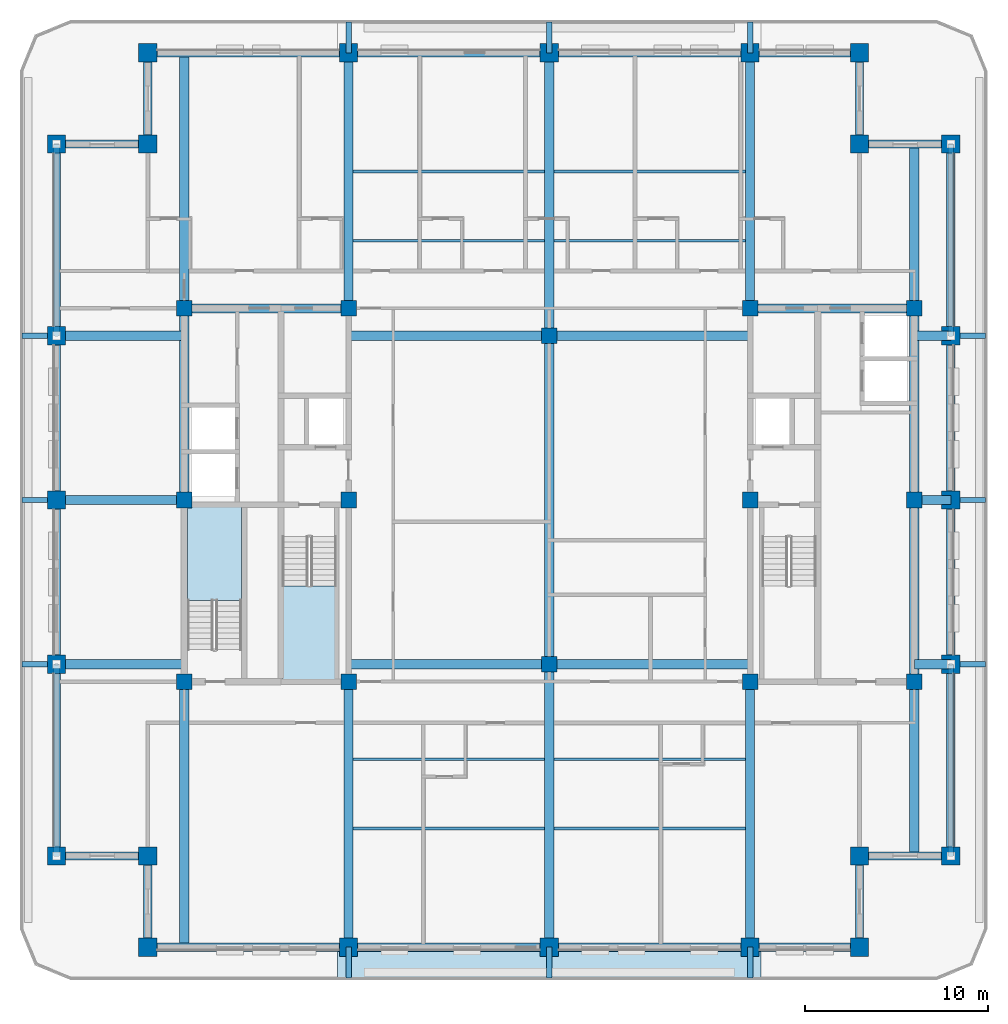
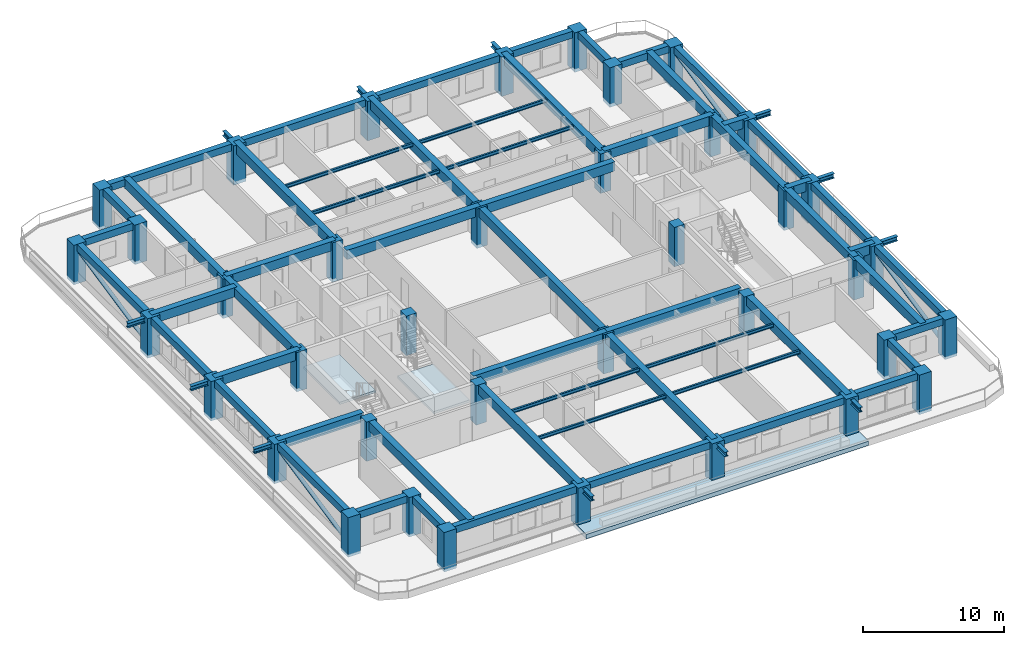
# One storey, part 1 of 14: 70 beams, 38 columns, 4 members, 3 slabs, 2 elements without a shape of their own.
"""IFC4 building model written with IfcOpenShell, lengths in metres."""

from ifc_helpers import new_model, si_unit, direction, frame, origin, origin_2d, place, context, subcontext, project, spatial, polyline, rectangle, hollow_circle, i_section, outline, extrude, material, layer, layer_set, material_profile, profile_set, type_object, element, aggregate, save


model = new_model("IFC4")

# Units and contexts
model_context = context("Model", 3, precision=1e-05, world=origin(), true_north=direction((0.0, 1.0)))
body_context = subcontext(model_context, "Body", "Model", "MODEL_VIEW")
ifc_project = project(units=[si_unit("LENGTHUNIT", "METRE"), si_unit("AREAUNIT", "SQUARE_METRE"), si_unit("VOLUMEUNIT", "CUBIC_METRE"), si_unit("PLANEANGLEUNIT", "RADIAN"), si_unit("MASSUNIT", "GRAM", prefix="KILO")], contexts=[model_context])

# Site, building, storey
site_placement = place(None, origin())
site = spatial("IfcSite", under=ifc_project, at=site_placement, CompositionType="ELEMENT")
building_placement = place(site_placement, origin())
building = spatial("IfcBuilding", under=site, at=building_placement, Name="Zulmaris Gate Convention Tower", CompositionType="ELEMENT")
storey_placement = place(building_placement, frame((0.0, 0.0, 194.85986328125)))
storey = spatial("IfcBuildingStorey", under=building, at=storey_placement, Name="L50", CompositionType="ELEMENT", Elevation=194.85986328125)

# Columns
ifc_material_1 = material(Name="Concrete C60/75", Category="concrete")
ifc_material_profile_1 = material_profile(ifc_material_1, rectangle(XDim=1.0, YDim=1.0, at=origin_2d()), Name="RC COL 1000x1000")
ifc_profile_set_1 = profile_set([ifc_material_profile_1], Name="Concrete C60/75")
column_type_1 = type_object("IfcColumnType", Name="COL-RC1000", PredefinedType="COLUMN", material=ifc_profile_set_1)
for number, where, z_axis, x_axis, name in (
    (1, (-22.0, -24.5, -0.27490234375), (0.0, 0.0, 1.0), (1.0, 0.0, 0.0), "L50 Column PT--22.00_-24.50"),
    (2, (-11.0, -24.5, -0.27490234375), (0.0, 0.0, 1.0), (1.0, 0.0, 0.0), "L50 Column PT--11.00_-24.50"),
    (3, (0.0, -24.5, -0.27490234375), (0.0, 0.0, 1.0), (1.0, 0.0, 0.0), "L50 Column PT-+0.00_-24.50"),
    (4, (11.0, -24.5, -0.27490234375), (0.0, 0.0, 1.0), (1.0, 0.0, 0.0), "L50 Column PT-+11.00_-24.50"),
    (5, (17.0, -24.5, -0.27490234375), (0.0, 0.0, 1.0), (1.0, 0.0, 0.0), "L50 Column PT-+17.00_-24.50"),
    (6, (-22.0, 24.5, -0.27490234375), (0.0, 0.0, 1.0), (1.0, 0.0, 0.0), "L50 Column PT--22.00_+24.50"),
    (7, (-11.0, 24.5, -0.27490234375), (0.0, 0.0, 1.0), (1.0, 0.0, 0.0), "L50 Column PT--11.00_+24.50"),
    (8, (0.0, 24.5, -0.27490234375), (0.0, 0.0, 1.0), (1.0, 0.0, 0.0), "L50 Column PT-+0.00_+24.50"),
    (9, (11.0, 24.5, -0.27490234375), (0.0, 0.0, 1.0), (1.0, 0.0, 0.0), "L50 Column PT-+11.00_+24.50"),
    (10, (17.0, 24.5, -0.27490234375), (0.0, 0.0, 1.0), (1.0, 0.0, 0.0), "L50 Column PT-+17.00_+24.50"),
    (11, (-27.0, -19.5, -0.27490234375), (0.0, 0.0, 1.0), (1.0, 0.0, 0.0), "L50 Column PT--27.00_-19.50"),
    (12, (-27.0, -9.0, -0.27490234375), (0.0, 0.0, 1.0), (1.0, 0.0, 0.0), "L50 Column PT--27.00_-9.00"),
    (13, (-27.0, 0.0, -0.27490234375), (0.0, 0.0, 1.0), (1.0, 0.0, 0.0), "L50 Column PT--27.00_+0.00"),
    (14, (-27.0, 9.0, -0.27490234375), (0.0, 0.0, 1.0), (1.0, 0.0, 0.0), "L50 Column PT--27.00_+9.00"),
    (15, (-27.0, 19.5, -0.27490234375), (0.0, 0.0, 1.0), (1.0, 0.0, 0.0), "L50 Column PT--27.00_+19.50"),
    (16, (22.0, -19.5, -0.27490234375), (0.0, 0.0, 1.0), (1.0, 0.0, 0.0), "L50 Column PT-+22.00_-19.50"),
    (17, (22.0, -9.0, -0.27490234375), (0.0, 0.0, 1.0), (1.0, 0.0, 0.0), "L50 Column PT-+22.00_-9.00"),
    (18, (22.0, 0.0, -0.27490234375), (0.0, 0.0, 1.0), (1.0, 0.0, 0.0), "L50 Column PT-+22.00_+0.00"),
    (19, (22.0, 9.0, -0.27490234375), (0.0, 0.0, 1.0), (1.0, 0.0, 0.0), "L50 Column PT-+22.00_+9.00"),
    (20, (22.0, 19.5, -0.27490234375), (0.0, 0.0, 1.0), (1.0, 0.0, 0.0), "L50 Column PT-+22.00_+19.50"),
    (21, (-22.0, -19.5, -0.27490234375), (0.0, 0.0, 1.0), (1.0, 0.0, 0.0), "L50 Column PT--22.00_-19.50"),
    (22, (17.0, -19.5, -0.27490234375), (0.0, 0.0, 1.0), (1.0, 0.0, 0.0), "L50 Column PT-+17.00_-19.50"),
    (23, (17.0, 19.5, -0.27490234375), (0.0, 0.0, 1.0), (1.0, 0.0, 0.0), "L50 Column PT-+17.00_+19.50"),
    (24, (-22.0, 19.5, -0.27490234375), (0.0, 0.0, 1.0), (1.0, 0.0, 0.0), "L50 Column PT--22.00_+19.50"),
):
    element("IfcColumn", number, at=place(storey_placement, frame(where, z_axis=z_axis, x_axis=x_axis)), inside=storey, type_object=column_type_1, Name=name, PredefinedType="COLUMN", context=body_context, shape_type="SweptSolid", body=[
        extrude(rectangle(XDim=1.0, YDim=1.0, at=origin_2d()), origin(), (0.0, 0.0, 1.0), 3.425048828125),
    ])
ifc_material_profile_2 = material_profile(ifc_material_1, rectangle(XDim=0.85009765625, YDim=0.85009765625, at=origin_2d()), Name="RC COL 850x850")
ifc_profile_set_2 = profile_set([ifc_material_profile_2], Name="Concrete C60/75")
column_type_2 = type_object("IfcColumnType", Name="COL-RC850", PredefinedType="COLUMN", material=ifc_profile_set_2)
for number, where, z_axis, x_axis, name in (
    (25, (-20.0, -9.949951171875, -0.27490234375), (0.0, 0.0, 1.0), (1.0, 0.0, 0.0), "L50 Column IN--20.00_-9.95"),
    (26, (-20.0, 10.5, -0.27490234375), (0.0, 0.0, 1.0), (1.0, 0.0, 0.0), "L50 Column IN--20.00_+10.50"),
    (27, (-11.0, -9.949951171875, -0.27490234375), (0.0, 0.0, 1.0), (1.0, 0.0, 0.0), "L50 Column IN--11.00_-9.95"),
    (28, (-11.0, 0.0, -0.27490234375), (0.0, 0.0, 1.0), (1.0, 0.0, 0.0), "L50 Column IN--11.00_+0.00"),
    (29, (-11.0, 10.5, -0.27490234375), (0.0, 0.0, 1.0), (1.0, 0.0, 0.0), "L50 Column IN--11.00_+10.50"),
    (30, (11.0, -9.949951171875, -0.27490234375), (0.0, 0.0, 1.0), (1.0, 0.0, 0.0), "L50 Column IN-+11.00_-9.95"),
    (31, (11.0, 0.0, -0.27490234375), (0.0, 0.0, 1.0), (1.0, 0.0, 0.0), "L50 Column IN-+11.00_+0.00"),
    (32, (11.0, 10.5, -0.27490234375), (0.0, 0.0, 1.0), (1.0, 0.0, 0.0), "L50 Column IN-+11.00_+10.50"),
    (33, (20.0, -9.949951171875, -0.27490234375), (0.0, 0.0, 1.0), (1.0, 0.0, 0.0), "L50 Column IN-+20.00_-9.95"),
    (34, (20.0, 10.5, -0.27490234375), (0.0, 0.0, 1.0), (1.0, 0.0, 0.0), "L50 Column IN-+20.00_+10.50"),
    (35, (0.0, -9.0, -0.27490234375), (0.0, 0.0, 1.0), (1.0, 0.0, 0.0), "L50 Column IN-+0.00_-9.00"),
    (36, (0.0, 9.0, -0.27490234375), (0.0, 0.0, 1.0), (1.0, 0.0, 0.0), "L50 Column IN-+0.00_+9.00"),
    (37, (-20.0, 0.0, -0.27490234375), (0.0, 0.0, 1.0), (1.0, 0.0, 0.0), "L50 Column IN--20.00_+0.00"),
    (38, (20.0, 0.0, -0.27490234375), (0.0, 0.0, 1.0), (1.0, 0.0, 0.0), "L50 Column IN-+20.00_+0.00"),
):
    element("IfcColumn", number, at=place(storey_placement, frame(where, z_axis=z_axis, x_axis=x_axis)), inside=storey, type_object=column_type_2, Name=name, PredefinedType="COLUMN", context=body_context, shape_type="SweptSolid", body=[
        extrude(rectangle(XDim=0.85009765625, YDim=0.85009765625, at=origin_2d()), origin(), (0.0, 0.0, 1.0), 3.425048828125),
    ])

# Beams
ifc_material_2 = material(Name="Steel S355", Category="steel")
ifc_material_profile_3 = material_profile(ifc_material_2, i_section(OverallWidth=0.300048828125, OverallDepth=0.39990234375, WebThickness=0.013427734375, FlangeThickness=0.02392578125, FilletRadius=0.027099609375, at=origin_2d()), Name="HEB 400")
ifc_profile_set_3 = profile_set([ifc_material_profile_3], Name="Steel S355")
beam_type_1 = type_object("IfcBeamType", Name="BM-HEB400", PredefinedType="BEAM", material=ifc_profile_set_3)
for number, where, z_axis, x_axis, name in (
    (39, (-11.0, -26.199951171875, 2.81005859375), (0.0, 1.0, 0.0), (-1.0, 0.0, 0.0), "L50 Beam TBRK-L50-S--11"),
    (40, (-11.0, 24.5, 2.81005859375), (0.0, 1.0, 0.0), (-1.0, 0.0, 0.0), "L50 Beam TBRK-L50-N--11"),
    (41, (0.0, -26.199951171875, 2.81005859375), (0.0, 1.0, 0.0), (-1.0, 0.0, 0.0), "L50 Beam TBRK-L50-S-+0"),
    (42, (0.0, 24.5, 2.81005859375), (0.0, 1.0, 0.0), (-1.0, 0.0, 0.0), "L50 Beam TBRK-L50-N-+0"),
    (43, (11.0, -26.199951171875, 2.81005859375), (0.0, 1.0, 0.0), (-1.0, 0.0, 0.0), "L50 Beam TBRK-L50-S-+11"),
    (44, (11.0, 24.5, 2.81005859375), (0.0, 1.0, 0.0), (-1.0, 0.0, 0.0), "L50 Beam TBRK-L50-N-+11"),
):
    element("IfcBeam", number, at=place(storey_placement, frame(where, z_axis=z_axis, x_axis=x_axis)), inside=storey, type_object=beam_type_1, Name=name, PredefinedType="BEAM", context=body_context, shape_type="SweptSolid", body=[
        extrude(i_section(OverallWidth=0.300048828125, OverallDepth=0.39990234375, WebThickness=0.013427734375, FlangeThickness=0.02392578125, FilletRadius=0.027099609375, at=origin_2d()), origin(), (0.0, 0.0, 1.0), 1.699951171875),
    ])
for number, where, z_axis, x_axis, name in (
    (45, (-28.89990234375, -9.0, 2.81005859375), (1.0, 0.0, 0.0), (0.0, 1.0, 0.0), "L50 Beam TBRK-L50-W--9"),
    (46, (22.0, -9.0, 2.81005859375), (1.0, 0.0, 0.0), (0.0, 1.0, 0.0), "L50 Beam TBRK-L50-E--9"),
    (47, (-28.89990234375, 0.0, 2.81005859375), (1.0, 0.0, 0.0), (0.0, 1.0, 0.0), "L50 Beam TBRK-L50-W-+0"),
    (48, (22.0, 0.0, 2.81005859375), (1.0, 0.0, 0.0), (0.0, 1.0, 0.0), "L50 Beam TBRK-L50-E-+0"),
    (49, (-28.89990234375, 9.0, 2.81005859375), (1.0, 0.0, 0.0), (0.0, 1.0, 0.0), "L50 Beam TBRK-L50-W-+9"),
    (50, (22.0, 9.0, 2.81005859375), (1.0, 0.0, 0.0), (0.0, 1.0, 0.0), "L50 Beam TBRK-L50-E-+9"),
):
    element("IfcBeam", number, at=place(storey_placement, frame(where, z_axis=z_axis, x_axis=x_axis)), inside=storey, type_object=beam_type_1, Name=name, PredefinedType="BEAM", context=body_context, shape_type="SweptSolid", body=[
        extrude(i_section(OverallWidth=0.300048828125, OverallDepth=0.39990234375, WebThickness=0.013427734375, FlangeThickness=0.02392578125, FilletRadius=0.027099609375, at=origin_2d()), origin(), (0.0, 0.0, 1.0), 1.89990234375),
    ])
ifc_material_3 = material(Name="Concrete C50/60", Category="concrete")
ifc_material_profile_4 = material_profile(ifc_material_3, rectangle(XDim=0.5, YDim=0.800048828125, at=origin_2d()), Name="RC BEAM 500x800")
ifc_profile_set_4 = profile_set([ifc_material_profile_4], Name="Concrete C50/60")
beam_type_2 = type_object("IfcBeamType", Name="BM-RC500x800", PredefinedType="BEAM", material=ifc_profile_set_4)
for number, where, z_axis, x_axis, name in (
    (51, (-11.0, -9.0, 2.750244140625), (1.0, 0.0, 0.0), (0.0, 1.0, 0.0), "L50 Beam BM-L50-G01"),
    (52, (0.0, -9.0, 2.750244140625), (1.0, 0.0, 0.0), (0.0, 1.0, 0.0), "L50 Beam BM-L50-G02"),
    (53, (-11.0, 9.0, 2.750244140625), (1.0, 0.0, 0.0), (0.0, 1.0, 0.0), "L50 Beam BM-L50-G03"),
    (54, (0.0, 9.0, 2.750244140625), (1.0, 0.0, 0.0), (0.0, 1.0, 0.0), "L50 Beam BM-L50-G04"),
):
    element("IfcBeam", number, at=place(storey_placement, frame(where, z_axis=z_axis, x_axis=x_axis)), inside=storey, type_object=beam_type_2, Name=name, PredefinedType="BEAM", context=body_context, shape_type="SweptSolid", body=[
        extrude(rectangle(XDim=0.5, YDim=0.800048828125, at=origin_2d()), origin(), (0.0, 0.0, 1.0), 11.0),
    ])
beam_1_placement = place(storey_placement, frame((0.0, -24.5, 2.750244140625), z_axis=(0.0, 1.0, 0.0), x_axis=(-1.0, 0.0, 0.0)))
element("IfcBeam", 55, at=beam_1_placement, inside=storey, type_object=beam_type_2, Name="L50 Beam BM-L50-G05", PredefinedType="BEAM", context=body_context, shape_type="SweptSolid", body=[
    extrude(rectangle(XDim=0.5, YDim=0.800048828125, at=origin_2d()), origin(), (0.0, 0.0, 1.0), 15.5),
])
beam_2_placement = place(storey_placement, frame((0.0, -9.0, 2.750244140625), z_axis=(0.0, 1.0, 0.0), x_axis=(-1.0, 0.0, 0.0)))
element("IfcBeam", 56, at=beam_2_placement, inside=storey, type_object=beam_type_2, Name="L50 Beam BM-L50-G06", PredefinedType="BEAM", context=body_context, shape_type="SweptSolid", body=[
    extrude(rectangle(XDim=0.5, YDim=0.800048828125, at=origin_2d()), origin(), (0.0, 0.0, 1.0), 18.0),
])
beam_3_placement = place(storey_placement, frame((0.0, 9.0, 2.750244140625), z_axis=(0.0, 1.0, 0.0), x_axis=(-1.0, 0.0, 0.0)))
element("IfcBeam", 57, at=beam_3_placement, inside=storey, type_object=beam_type_2, Name="L50 Beam BM-L50-G07", PredefinedType="BEAM", context=body_context, shape_type="SweptSolid", body=[
    extrude(rectangle(XDim=0.5, YDim=0.800048828125, at=origin_2d()), origin(), (0.0, 0.0, 1.0), 15.5),
])
beam_4_placement = place(storey_placement, frame((-11.0, -24.5, 2.750244140625), z_axis=(0.0, 1.0, 0.0), x_axis=(-1.0, 0.0, 0.0)))
element("IfcBeam", 58, at=beam_4_placement, inside=storey, type_object=beam_type_2, Name="L50 Beam BM-L50-G08", PredefinedType="BEAM", context=body_context, shape_type="SweptSolid", body=[
    extrude(rectangle(XDim=0.5, YDim=0.800048828125, at=origin_2d()), origin(), (0.0, 0.0, 1.0), 14.550048828125),
])
beam_5_placement = place(storey_placement, frame((-11.0, 10.5, 2.750244140625), z_axis=(0.0, 1.0, 0.0), x_axis=(-1.0, 0.0, 0.0)))
element("IfcBeam", 59, at=beam_5_placement, inside=storey, type_object=beam_type_2, Name="L50 Beam BM-L50-G09", PredefinedType="BEAM", context=body_context, shape_type="SweptSolid", body=[
    extrude(rectangle(XDim=0.5, YDim=0.800048828125, at=origin_2d()), origin(), (0.0, 0.0, 1.0), 14.0),
])
beam_6_placement = place(storey_placement, frame((11.0, -24.5, 2.750244140625), z_axis=(0.0, 1.0, 0.0), x_axis=(-1.0, 0.0, 0.0)))
element("IfcBeam", 60, at=beam_6_placement, inside=storey, type_object=beam_type_2, Name="L50 Beam BM-L50-G10", PredefinedType="BEAM", context=body_context, shape_type="SweptSolid", body=[
    extrude(rectangle(XDim=0.5, YDim=0.800048828125, at=origin_2d()), origin(), (0.0, 0.0, 1.0), 14.550048828125),
])
beam_7_placement = place(storey_placement, frame((11.0, 10.5, 2.750244140625), z_axis=(0.0, 1.0, 0.0), x_axis=(-1.0, 0.0, 0.0)))
element("IfcBeam", 61, at=beam_7_placement, inside=storey, type_object=beam_type_2, Name="L50 Beam BM-L50-G11", PredefinedType="BEAM", context=body_context, shape_type="SweptSolid", body=[
    extrude(rectangle(XDim=0.5, YDim=0.800048828125, at=origin_2d()), origin(), (0.0, 0.0, 1.0), 14.0),
])
beam_8_placement = place(storey_placement, frame((-20.0, -24.5, 2.750244140625), z_axis=(0.0, 1.0, 0.0), x_axis=(-1.0, 0.0, 0.0)))
element("IfcBeam", 62, at=beam_8_placement, inside=storey, type_object=beam_type_2, Name="L50 Beam BM-L50-G12", PredefinedType="BEAM", context=body_context, shape_type="SweptSolid", body=[
    extrude(rectangle(XDim=0.5, YDim=0.800048828125, at=origin_2d()), origin(), (0.0, 0.0, 1.0), 14.550048828125),
])
beam_9_placement = place(storey_placement, frame((-20.0, 10.5, 2.750244140625), z_axis=(0.0, 1.0, 0.0), x_axis=(-1.0, 0.0, 0.0)))
element("IfcBeam", 63, at=beam_9_placement, inside=storey, type_object=beam_type_2, Name="L50 Beam BM-L50-G13", PredefinedType="BEAM", context=body_context, shape_type="SweptSolid", body=[
    extrude(rectangle(XDim=0.5, YDim=0.800048828125, at=origin_2d()), origin(), (0.0, 0.0, 1.0), 14.0),
])
beam_10_placement = place(storey_placement, frame((20.0, -19.5, 2.750244140625), z_axis=(0.0, 1.0, 0.0), x_axis=(-1.0, 0.0, 0.0)))
element("IfcBeam", 64, at=beam_10_placement, inside=storey, type_object=beam_type_2, Name="L50 Beam BM-L50-G14", PredefinedType="BEAM", context=body_context, shape_type="SweptSolid", body=[
    extrude(rectangle(XDim=0.5, YDim=0.800048828125, at=origin_2d()), origin(), (0.0, 0.0, 1.0), 9.550048828125),
])
beam_11_placement = place(storey_placement, frame((20.0, 10.5, 2.750244140625), z_axis=(0.0, 1.0, 0.0), x_axis=(-1.0, 0.0, 0.0)))
element("IfcBeam", 65, at=beam_11_placement, inside=storey, type_object=beam_type_2, Name="L50 Beam BM-L50-G15", PredefinedType="BEAM", context=body_context, shape_type="SweptSolid", body=[
    extrude(rectangle(XDim=0.5, YDim=0.800048828125, at=origin_2d()), origin(), (0.0, 0.0, 1.0), 9.0),
])
for number, where, z_axis, x_axis, name in (
    (66, (-27.0, -9.0, 2.750244140625), (1.0, 0.0, 0.0), (0.0, 1.0, 0.0), "L50 Beam BM-L50-G16"),
    (67, (-27.0, 0.0, 2.750244140625), (1.0, 0.0, 0.0), (0.0, 1.0, 0.0), "L50 Beam BM-L50-G17"),
    (68, (-27.0, 9.0, 2.750244140625), (1.0, 0.0, 0.0), (0.0, 1.0, 0.0), "L50 Beam BM-L50-G18"),
):
    element("IfcBeam", number, at=place(storey_placement, frame(where, z_axis=z_axis, x_axis=x_axis)), inside=storey, type_object=beam_type_2, Name=name, PredefinedType="BEAM", context=body_context, shape_type="SweptSolid", body=[
        extrude(rectangle(XDim=0.5, YDim=0.800048828125, at=origin_2d()), origin(), (0.0, 0.0, 1.0), 7.0),
    ])
for number, where, z_axis, x_axis, name in (
    (69, (20.0, -9.0, 2.750244140625), (1.0, 0.0, 0.0), (0.0, 1.0, 0.0), "L50 Beam BM-L50-G19"),
    (70, (20.0, 0.0, 2.750244140625), (1.0, 0.0, 0.0), (0.0, 1.0, 0.0), "L50 Beam BM-L50-G20"),
    (71, (20.0, 9.0, 2.750244140625), (1.0, 0.0, 0.0), (0.0, 1.0, 0.0), "L50 Beam BM-L50-G21"),
):
    element("IfcBeam", number, at=place(storey_placement, frame(where, z_axis=z_axis, x_axis=x_axis)), inside=storey, type_object=beam_type_2, Name=name, PredefinedType="BEAM", context=body_context, shape_type="SweptSolid", body=[
        extrude(rectangle(XDim=0.5, YDim=0.800048828125, at=origin_2d()), origin(), (0.0, 0.0, 1.0), 2.0),
    ])
for number, where, z_axis, x_axis, name in (
    (72, (-20.0, 10.5, 2.750244140625), (1.0, 0.0, 0.0), (0.0, 1.0, 0.0), "L50 Beam BM-L50-G23"),
    (73, (11.0, 10.5, 2.750244140625), (1.0, 0.0, 0.0), (0.0, 1.0, 0.0), "L50 Beam BM-L50-G25"),
):
    element("IfcBeam", number, at=place(storey_placement, frame(where, z_axis=z_axis, x_axis=x_axis)), inside=storey, type_object=beam_type_2, Name=name, PredefinedType="BEAM", context=body_context, shape_type="SweptSolid", body=[
        extrude(rectangle(XDim=0.5, YDim=0.800048828125, at=origin_2d()), origin(), (0.0, 0.0, 1.0), 9.0),
    ])
beam_12_placement = place(storey_placement, frame((-20.0, 0.0, 2.750244140625), z_axis=(0.0, 1.0, 0.0), x_axis=(-1.0, 0.0, 0.0)))
element("IfcBeam", 74, at=beam_12_placement, inside=storey, type_object=beam_type_2, Name="L50 Beam BM-L50-G27", PredefinedType="BEAM", context=body_context, shape_type="SweptSolid", body=[
    extrude(rectangle(XDim=0.5, YDim=0.800048828125, at=origin_2d()), origin(), (0.0, 0.0, 1.0), 10.5),
])
beam_13_placement = place(storey_placement, frame((20.0, -9.949951171875, 2.750244140625), z_axis=(0.0, 1.0, 0.0), x_axis=(-1.0, 0.0, 0.0)))
element("IfcBeam", 75, at=beam_13_placement, inside=storey, type_object=beam_type_2, Name="L50 Beam BM-L50-G28", PredefinedType="BEAM", context=body_context, shape_type="SweptSolid", body=[
    extrude(rectangle(XDim=0.5, YDim=0.800048828125, at=origin_2d()), origin(), (0.0, 0.0, 1.0), 9.949951171875),
])
beam_14_placement = place(storey_placement, frame((20.0, 0.0, 2.750244140625), z_axis=(0.0, 1.0, 0.0), x_axis=(-1.0, 0.0, 0.0)))
element("IfcBeam", 76, at=beam_14_placement, inside=storey, type_object=beam_type_2, Name="L50 Beam BM-L50-G29", PredefinedType="BEAM", context=body_context, shape_type="SweptSolid", body=[
    extrude(rectangle(XDim=0.5, YDim=0.800048828125, at=origin_2d()), origin(), (0.0, 0.0, 1.0), 10.5),
])
ifc_material_4 = material(Name="Precast concrete C50/60", Category="concrete")
ifc_material_profile_5 = material_profile(ifc_material_4, rectangle(XDim=0.449951171875, YDim=0.60009765625, at=origin_2d()), Name="RC SPANDREL 450x600")
ifc_profile_set_5 = profile_set([ifc_material_profile_5], Name="Precast concrete C50/60")
beam_type_3 = type_object("IfcBeamType", Name="BM-SP450x600", PredefinedType="SPANDREL", material=ifc_profile_set_5)
for number, where, z_axis, x_axis, name in (
    (77, (-22.0, -24.5, 2.85009765625), (1.0, 0.0, 0.0), (0.0, 1.0, 0.0), "L50 Spandrel SP-L50-01"),
    (78, (-11.0, -24.5, 2.85009765625), (1.0, 0.0, 0.0), (0.0, 1.0, 0.0), "L50 Spandrel SP-L50-02"),
    (79, (0.0, -24.5, 2.85009765625), (1.0, 0.0, 0.0), (0.0, 1.0, 0.0), "L50 Spandrel SP-L50-03"),
):
    element("IfcBeam", number, at=place(storey_placement, frame(where, z_axis=z_axis, x_axis=x_axis)), inside=storey, type_object=beam_type_3, Name=name, PredefinedType="SPANDREL", context=body_context, shape_type="SweptSolid", body=[
        extrude(rectangle(XDim=0.449951171875, YDim=0.60009765625, at=origin_2d()), origin(), (0.0, 0.0, 1.0), 11.0),
    ])
beam_15_placement = place(storey_placement, frame((11.0, -24.5, 2.85009765625), z_axis=(1.0, 0.0, 0.0), x_axis=(0.0, 1.0, 0.0)))
element("IfcBeam", 80, at=beam_15_placement, inside=storey, type_object=beam_type_3, Name="L50 Spandrel SP-L50-04", PredefinedType="SPANDREL", context=body_context, shape_type="SweptSolid", body=[
    extrude(rectangle(XDim=0.449951171875, YDim=0.60009765625, at=origin_2d()), origin(), (0.0, 0.0, 1.0), 6.0),
])
for number, where, z_axis, x_axis, name in (
    (81, (17.0, -24.5, 2.85009765625), (0.0, 1.0, 0.0), (-1.0, 0.0, 0.0), "L50 Spandrel SP-L50-05"),
    (82, (17.0, -19.5, 2.85009765625), (1.0, 0.0, 0.0), (0.0, 1.0, 0.0), "L50 Spandrel SP-L50-06"),
):
    element("IfcBeam", number, at=place(storey_placement, frame(where, z_axis=z_axis, x_axis=x_axis)), inside=storey, type_object=beam_type_3, Name=name, PredefinedType="SPANDREL", context=body_context, shape_type="SweptSolid", body=[
        extrude(rectangle(XDim=0.449951171875, YDim=0.60009765625, at=origin_2d()), origin(), (0.0, 0.0, 1.0), 5.0),
    ])
beam_16_placement = place(storey_placement, frame((22.0, -19.5, 2.85009765625), z_axis=(0.0, 1.0, 0.0), x_axis=(-1.0, 0.0, 0.0)))
element("IfcBeam", 83, at=beam_16_placement, inside=storey, type_object=beam_type_3, Name="L50 Spandrel SP-L50-07", PredefinedType="SPANDREL", context=body_context, shape_type="SweptSolid", body=[
    extrude(rectangle(XDim=0.449951171875, YDim=0.60009765625, at=origin_2d()), origin(), (0.0, 0.0, 1.0), 10.5),
])
for number, where, z_axis, x_axis, name in (
    (84, (22.0, -9.0, 2.85009765625), (0.0, 1.0, 0.0), (-1.0, 0.0, 0.0), "L50 Spandrel SP-L50-08"),
    (85, (22.0, 0.0, 2.85009765625), (0.0, 1.0, 0.0), (-1.0, 0.0, 0.0), "L50 Spandrel SP-L50-09"),
):
    element("IfcBeam", number, at=place(storey_placement, frame(where, z_axis=z_axis, x_axis=x_axis)), inside=storey, type_object=beam_type_3, Name=name, PredefinedType="SPANDREL", context=body_context, shape_type="SweptSolid", body=[
        extrude(rectangle(XDim=0.449951171875, YDim=0.60009765625, at=origin_2d()), origin(), (0.0, 0.0, 1.0), 9.0),
    ])
beam_17_placement = place(storey_placement, frame((22.0, 9.0, 2.85009765625), z_axis=(0.0, 1.0, 0.0), x_axis=(-1.0, 0.0, 0.0)))
element("IfcBeam", 86, at=beam_17_placement, inside=storey, type_object=beam_type_3, Name="L50 Spandrel SP-L50-10", PredefinedType="SPANDREL", context=body_context, shape_type="SweptSolid", body=[
    extrude(rectangle(XDim=0.449951171875, YDim=0.60009765625, at=origin_2d()), origin(), (0.0, 0.0, 1.0), 10.5),
])
for number, where, z_axis, x_axis, name in (
    (87, (22.0, 19.5, 2.85009765625), (-1.0, 0.0, 0.0), (0.0, -1.0, 0.0), "L50 Spandrel SP-L50-11"),
    (88, (17.0, 19.5, 2.85009765625), (0.0, 1.0, 0.0), (-1.0, 0.0, 0.0), "L50 Spandrel SP-L50-12"),
):
    element("IfcBeam", number, at=place(storey_placement, frame(where, z_axis=z_axis, x_axis=x_axis)), inside=storey, type_object=beam_type_3, Name=name, PredefinedType="SPANDREL", context=body_context, shape_type="SweptSolid", body=[
        extrude(rectangle(XDim=0.449951171875, YDim=0.60009765625, at=origin_2d()), origin(), (0.0, 0.0, 1.0), 5.0),
    ])
beam_18_placement = place(storey_placement, frame((17.0, 24.5, 2.85009765625), z_axis=(-1.0, 0.0, 0.0), x_axis=(0.0, -1.0, 0.0)))
element("IfcBeam", 89, at=beam_18_placement, inside=storey, type_object=beam_type_3, Name="L50 Spandrel SP-L50-13", PredefinedType="SPANDREL", context=body_context, shape_type="SweptSolid", body=[
    extrude(rectangle(XDim=0.449951171875, YDim=0.60009765625, at=origin_2d()), origin(), (0.0, 0.0, 1.0), 6.0),
])
for number, where, z_axis, x_axis, name in (
    (90, (11.0, 24.5, 2.85009765625), (-1.0, 0.0, 0.0), (0.0, -1.0, 0.0), "L50 Spandrel SP-L50-14"),
    (91, (0.0, 24.5, 2.85009765625), (-1.0, 0.0, 0.0), (0.0, -1.0, 0.0), "L50 Spandrel SP-L50-15"),
    (92, (-11.0, 24.5, 2.85009765625), (-1.0, 0.0, 0.0), (0.0, -1.0, 0.0), "L50 Spandrel SP-L50-16"),
):
    element("IfcBeam", number, at=place(storey_placement, frame(where, z_axis=z_axis, x_axis=x_axis)), inside=storey, type_object=beam_type_3, Name=name, PredefinedType="SPANDREL", context=body_context, shape_type="SweptSolid", body=[
        extrude(rectangle(XDim=0.449951171875, YDim=0.60009765625, at=origin_2d()), origin(), (0.0, 0.0, 1.0), 11.0),
    ])
for number, where, z_axis, x_axis, name in (
    (93, (-22.0, 24.5, 2.85009765625), (0.0, -1.0, 0.0), (1.0, 0.0, 0.0), "L50 Spandrel SP-L50-17"),
    (94, (-22.0, 19.5, 2.85009765625), (-1.0, 0.0, 0.0), (0.0, -1.0, 0.0), "L50 Spandrel SP-L50-18"),
):
    element("IfcBeam", number, at=place(storey_placement, frame(where, z_axis=z_axis, x_axis=x_axis)), inside=storey, type_object=beam_type_3, Name=name, PredefinedType="SPANDREL", context=body_context, shape_type="SweptSolid", body=[
        extrude(rectangle(XDim=0.449951171875, YDim=0.60009765625, at=origin_2d()), origin(), (0.0, 0.0, 1.0), 5.0),
    ])
beam_19_placement = place(storey_placement, frame((-27.0, 19.5, 2.85009765625), z_axis=(0.0, -1.0, 0.0), x_axis=(1.0, 0.0, 0.0)))
element("IfcBeam", 95, at=beam_19_placement, inside=storey, type_object=beam_type_3, Name="L50 Spandrel SP-L50-19", PredefinedType="SPANDREL", context=body_context, shape_type="SweptSolid", body=[
    extrude(rectangle(XDim=0.449951171875, YDim=0.60009765625, at=origin_2d()), origin(), (0.0, 0.0, 1.0), 10.5),
])
for number, where, z_axis, x_axis, name in (
    (96, (-27.0, 9.0, 2.85009765625), (0.0, -1.0, 0.0), (1.0, 0.0, 0.0), "L50 Spandrel SP-L50-20"),
    (97, (-27.0, 0.0, 2.85009765625), (0.0, -1.0, 0.0), (1.0, 0.0, 0.0), "L50 Spandrel SP-L50-21"),
):
    element("IfcBeam", number, at=place(storey_placement, frame(where, z_axis=z_axis, x_axis=x_axis)), inside=storey, type_object=beam_type_3, Name=name, PredefinedType="SPANDREL", context=body_context, shape_type="SweptSolid", body=[
        extrude(rectangle(XDim=0.449951171875, YDim=0.60009765625, at=origin_2d()), origin(), (0.0, 0.0, 1.0), 9.0),
    ])
beam_20_placement = place(storey_placement, frame((-27.0, -9.0, 2.85009765625), z_axis=(0.0, -1.0, 0.0), x_axis=(1.0, 0.0, 0.0)))
element("IfcBeam", 98, at=beam_20_placement, inside=storey, type_object=beam_type_3, Name="L50 Spandrel SP-L50-22", PredefinedType="SPANDREL", context=body_context, shape_type="SweptSolid", body=[
    extrude(rectangle(XDim=0.449951171875, YDim=0.60009765625, at=origin_2d()), origin(), (0.0, 0.0, 1.0), 10.5),
])
for number, where, z_axis, x_axis, name in (
    (99, (-27.0, -19.5, 2.85009765625), (1.0, 0.0, 0.0), (0.0, 1.0, 0.0), "L50 Spandrel SP-L50-23"),
    (100, (-22.0, -19.5, 2.85009765625), (0.0, -1.0, 0.0), (1.0, 0.0, 0.0), "L50 Spandrel SP-L50-24"),
):
    element("IfcBeam", number, at=place(storey_placement, frame(where, z_axis=z_axis, x_axis=x_axis)), inside=storey, type_object=beam_type_3, Name=name, PredefinedType="SPANDREL", context=body_context, shape_type="SweptSolid", body=[
        extrude(rectangle(XDim=0.449951171875, YDim=0.60009765625, at=origin_2d()), origin(), (0.0, 0.0, 1.0), 5.0),
    ])

# Members
ifc_material_profile_6 = material_profile(ifc_material_2, hollow_circle(Radius=0.161865234375, WallThickness=0.01611328125, at=origin_2d()), Name="CHS 323.9x16")
ifc_profile_set_6 = profile_set([ifc_material_profile_6], Name="Steel S355")
member_type = type_object("IfcMemberType", Name="BR-CHS324", PredefinedType="BRACE", material=ifc_profile_set_6)
for number, where, z_axis, x_axis, name in (
    (101, (-27.0, -19.5, 0.300048828125), (0.0, 0.978182890872, 0.20774559443), (-1.0, 0.0, 0.0), "L50 Perimeter Tube Diagonal SW-W"),
    (102, (-27.0, 9.0, 0.300048828125), (0.0, 0.978182890872, 0.20774559443), (-1.0, 0.0, 0.0), "L50 Perimeter Tube Diagonal NW-W"),
    (103, (22.0, -19.5, 0.300048828125), (0.0, 0.978182890872, 0.20774559443), (-1.0, 0.0, 0.0), "L50 Perimeter Tube Diagonal SE-E"),
    (104, (22.0, 9.0, 0.300048828125), (0.0, 0.978182890872, 0.20774559443), (-1.0, 0.0, 0.0), "L50 Perimeter Tube Diagonal NE-E"),
):
    element("IfcMember", number, at=place(storey_placement, frame(where, z_axis=z_axis, x_axis=x_axis)), inside=storey, type_object=member_type, Name=name, PredefinedType="BRACE", context=body_context, shape_type="SweptSolid", body=[
        extrude(hollow_circle(Radius=0.161865234375, WallThickness=0.01611328125, at=origin_2d()), origin(), (0.0, 0.0, 1.0), 10.734130859375),
    ])

# Beams
ifc_material_profile_7 = material_profile(ifc_material_2, i_section(OverallWidth=0.14990234375, OverallDepth=0.300048828125, WebThickness=0.007080078125, FlangeThickness=0.0107421875, FilletRadius=0.014892578125, at=origin_2d()), Name="IPE 300")
ifc_profile_set_7 = profile_set([ifc_material_profile_7], Name="Steel S355")
beam_type_4 = type_object("IfcBeamType", Name="JT-IPE300", PredefinedType="JOIST", material=ifc_profile_set_7)
for number, where, z_axis, x_axis, name in (
    (105, (-10.75, -18.0, 2.998046875), (1.0, 0.0, 0.0), (0.0, 1.0, 0.0), "L50 Joist JT-L50-CW--18.0"),
    (106, (0.25, -18.0, 2.998046875), (1.0, 0.0, 0.0), (0.0, 1.0, 0.0), "L50 Joist JT-L50-CE--18.0"),
    (107, (-10.75, -14.199951171875, 2.998046875), (1.0, 0.0, 0.0), (0.0, 1.0, 0.0), "L50 Joist JT-L50-CW--14.2"),
    (108, (0.25, -14.199951171875, 2.998046875), (1.0, 0.0, 0.0), (0.0, 1.0, 0.0), "L50 Joist JT-L50-CE--14.2"),
    (109, (-10.75, 14.199951171875, 2.998046875), (1.0, 0.0, 0.0), (0.0, 1.0, 0.0), "L50 Joist JT-L50-CW-+14.2"),
    (110, (0.25, 14.199951171875, 2.998046875), (1.0, 0.0, 0.0), (0.0, 1.0, 0.0), "L50 Joist JT-L50-CE-+14.2"),
    (111, (-10.75, 18.0, 2.998046875), (1.0, 0.0, 0.0), (0.0, 1.0, 0.0), "L50 Joist JT-L50-CW-+18.0"),
    (112, (0.25, 18.0, 2.998046875), (1.0, 0.0, 0.0), (0.0, 1.0, 0.0), "L50 Joist JT-L50-CE-+18.0"),
):
    element("IfcBeam", number, at=place(storey_placement, frame(where, z_axis=z_axis, x_axis=x_axis)), inside=storey, type_object=beam_type_4, Name=name, PredefinedType="JOIST", context=body_context, shape_type="SweptSolid", body=[
        extrude(i_section(OverallWidth=0.14990234375, OverallDepth=0.300048828125, WebThickness=0.007080078125, FlangeThickness=0.0107421875, FilletRadius=0.014892578125, at=origin_2d()), origin(), (0.0, 0.0, 1.0), 10.5),
    ])

# Slab
ifc_layer_1 = layer(ifc_material_4, 0.260009765625, Name="Precast concrete C50/60")
ifc_layer_set_1 = layer_set([ifc_layer_1], Name="Precast concrete C50/60")
slab_type_1 = type_object("IfcSlabType", Name="SL-BAL-260", PredefinedType="FLOOR", material=ifc_layer_set_1)
slab_1_placement = place(storey_placement, frame((0.0, 0.0, -0.425048828125)))
element("IfcSlab", 113, at=slab_1_placement, inside=storey, type_object=slab_type_1, Name="L50 South Tree-Balcony Planter Slab", PredefinedType="FLOOR", context=body_context, shape_type="SweptSolid", body=[
    extrude(outline(polyline([(-11.597900390625, -26.300048828125), (-11.597900390625, -24.5), (11.597900390625, -24.5), (11.597900390625, -26.300048828125), (-11.597900390625, -26.300048828125)])), origin(), (0.0, 0.0, 1.0), 0.385009765625),
])

# Stair, slab
ifc_material_5 = material(Name="Concrete C45/55", Category="concrete")
stair_type = type_object("IfcStairType", Name="ST-CORE-DOGLEG", PredefinedType="HALF_TURN_STAIR", material=ifc_material_5)
stair_1_placement = place(storey_placement, origin())
stair_1 = element("IfcStair", 114, at=stair_1_placement, inside=storey, type_object=stair_type, Name="L50 Core Exit Stair ST-1", PredefinedType="HALF_TURN_STAIR")
ifc_layer_2 = layer(ifc_material_5, 0.199951171875, Name="Concrete C45/55")
ifc_layer_set_2 = layer_set([ifc_layer_2], Name="Concrete C45/55")
slab_type_2 = type_object("IfcSlabType", Name="SL-LND-200", PredefinedType="LANDING", material=ifc_layer_set_2)
slab_2_placement = place(storey_placement, frame((0.0, 0.0, 1.5)))
slab_2 = element("IfcSlab", 115, at=slab_2_placement, type_object=slab_type_2, Name="ST-1 landing 1", PredefinedType="LANDING", context=body_context, shape_type="SweptSolid", body=[
    extrude(outline(polyline([(-14.6201171875, -4.699951171875), (-14.6201171875, -9.85009765625), (-11.659912109375, -9.85009765625), (-11.659912109375, -4.699951171875), (-14.6201171875, -4.699951171875)])), origin(), (0.0, 0.0, 1.0), 0.2001953125),
])
aggregate(stair_1, [slab_2])

stair_2_placement = place(storey_placement, origin())
stair_2 = element("IfcStair", 116, at=stair_2_placement, inside=storey, type_object=stair_type, Name="L50 Core Exit Stair ST-3", PredefinedType="HALF_TURN_STAIR")
slab_3_placement = place(storey_placement, frame((0.0, 0.0, 1.5)))
slab_3 = element("IfcSlab", 117, at=slab_3_placement, type_object=slab_type_2, Name="ST-3 landing 1", PredefinedType="LANDING", context=body_context, shape_type="SweptSolid", body=[
    extrude(outline(polyline([(-16.860107421875, -5.5), (-16.860107421875, -0.35009765625), (-19.820068359375, -0.35009765625), (-19.820068359375, -5.5), (-16.860107421875, -5.5)])), origin(), (0.0, 0.0, 1.0), 0.2001953125),
])
aggregate(stair_2, [slab_3])

save(model, "model.ifc")
